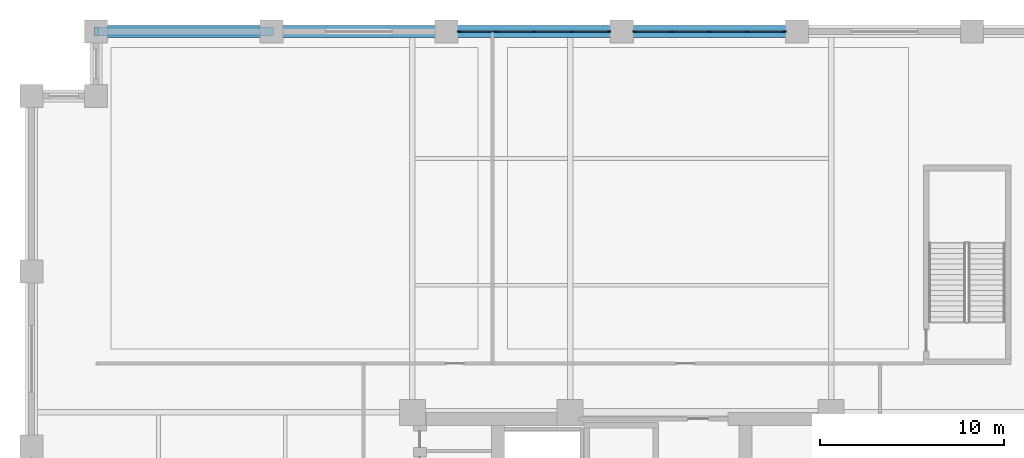
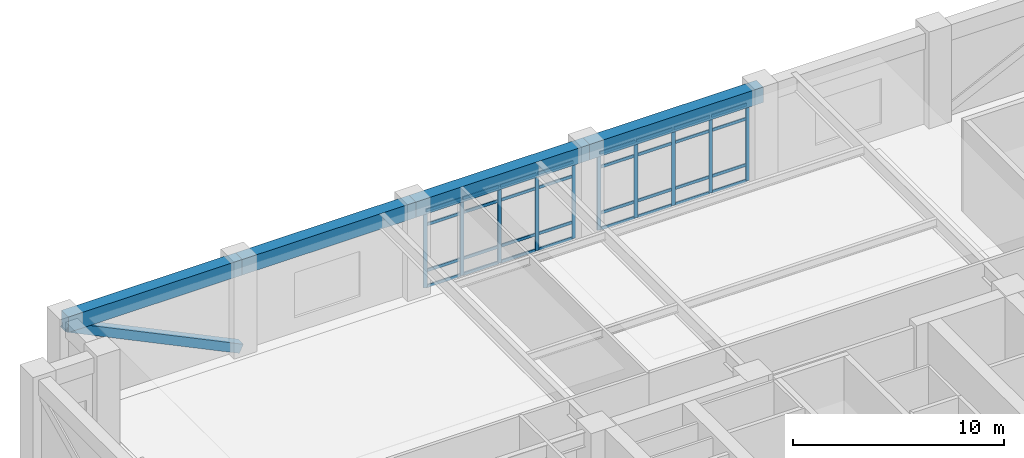
# One storey, part 9 of 21: 43 members, 4 beams, 2 elements without a shape of their own.
"""IFC4 building model written with IfcOpenShell, lengths in metres."""

from ifc_helpers import new_model, si_unit, direction, frame, origin, origin_2d, place, context, subcontext, project, spatial, rectangle, hollow_rectangle, extrude, material, layer, layer_set, material_profile, profile_set, type_object, element, aggregate, save


model = new_model("IFC4")

# Units and contexts
model_context = context("Model", 3, precision=1e-05, world=origin(), true_north=direction((0.0, 1.0)))
body_context = subcontext(model_context, "Body", "Model", "MODEL_VIEW")
ifc_project = project(units=[si_unit("LENGTHUNIT", "METRE"), si_unit("AREAUNIT", "SQUARE_METRE"), si_unit("VOLUMEUNIT", "CUBIC_METRE"), si_unit("PLANEANGLEUNIT", "RADIAN"), si_unit("MASSUNIT", "GRAM", prefix="KILO")], contexts=[model_context])

# Site, building, storey
site_placement = place(None, origin())
site = spatial("IfcSite", under=ifc_project, at=site_placement, CompositionType="ELEMENT")
building_placement = place(site_placement, origin())
building = spatial("IfcBuilding", under=site, at=building_placement, Name="Nhamokura Convention Tower", CompositionType="ELEMENT")
storey_placement = place(building_placement, frame((0.0, 0.0, 12.25)))
storey = spatial("IfcBuildingStorey", under=building, at=storey_placement, Name="L02", CompositionType="ELEMENT", Elevation=12.25)

# Curtain wall, members
ifc_material_1 = material(Name="Anodised bronze aluminium AA6063-T6", Category="aluminium")
ifc_layer = layer(ifc_material_1, 0.199951171875)
ifc_layer_set = layer_set([ifc_layer], Name="CWSystem_ConventionFoyer")
curtain_wall_type = type_object("IfcCurtainWallType", Name="CWSystem_ConventionFoyer", PredefinedType="NOTDEFINED", material=ifc_layer_set)
curtain_wall_1_placement = place(storey_placement, origin())
curtain_wall_1 = element("IfcCurtainWall", 1, at=curtain_wall_1_placement, inside=storey, type_object=curtain_wall_type, Name="L02 Curtain Wall ENV-L02-CW-N2", PredefinedType="NOTDEFINED")
ifc_material_2 = material(Name="Anodised bronze aluminium AA6063-T6", Category="aluminium")
ifc_material_profile_1 = material_profile(ifc_material_2, rectangle(XDim=0.074951171875, YDim=0.199951171875, at=origin_2d()))
ifc_profile_set_1 = profile_set([ifc_material_profile_1], Name="Anodised bronze aluminium AA6063-T6")
member_type_1 = type_object("IfcMemberType", Name="CWMullion_2", PredefinedType="MULLION", material=ifc_profile_set_1)
member_1_placement = place(storey_placement, frame((23.1875, 64.0, 0.0), z_axis=(0.0, 0.0, 1.0), x_axis=(0.0, 1.0, 0.0)))
member_1 = element("IfcMember", 2, at=member_1_placement, type_object=member_type_1, Name="CW-02 mullion 1", PredefinedType="MULLION", context=body_context, shape_type="SweptSolid", body=[
    extrude(rectangle(XDim=0.074951171875, YDim=0.199951171875, at=origin_2d()), origin(), (0.0, 0.0, 1.0), 4.4599609375),
])
member_2_placement = place(storey_placement, frame((25.199951171875, 64.0, 0.0), z_axis=(0.0, 0.0, 1.0), x_axis=(0.0, 1.0, 0.0)))
member_2 = element("IfcMember", 3, at=member_2_placement, type_object=member_type_1, Name="CW-02 mullion 2", PredefinedType="MULLION", context=body_context, shape_type="SweptSolid", body=[
    extrude(rectangle(XDim=0.074951171875, YDim=0.199951171875, at=origin_2d()), origin(), (0.0, 0.0, 1.0), 4.4599609375),
])
member_3_placement = place(storey_placement, frame((27.25, 64.0, 0.0), z_axis=(0.0, 0.0, 1.0), x_axis=(0.0, 1.0, 0.0)))
member_3 = element("IfcMember", 4, at=member_3_placement, type_object=member_type_1, Name="CW-02 mullion 3", PredefinedType="MULLION", context=body_context, shape_type="SweptSolid", body=[
    extrude(rectangle(XDim=0.074951171875, YDim=0.199951171875, at=origin_2d()), origin(), (0.0, 0.0, 1.0), 4.4599609375),
])
member_4_placement = place(storey_placement, frame((29.300048828125, 64.0, 0.0), z_axis=(0.0, 0.0, 1.0), x_axis=(0.0, 1.0, 0.0)))
member_4 = element("IfcMember", 5, at=member_4_placement, type_object=member_type_1, Name="CW-02 mullion 4", PredefinedType="MULLION", context=body_context, shape_type="SweptSolid", body=[
    extrude(rectangle(XDim=0.074951171875, YDim=0.199951171875, at=origin_2d()), origin(), (0.0, 0.0, 1.0), 4.4599609375),
])
member_5_placement = place(storey_placement, frame((31.3125, 64.0, 0.0), z_axis=(0.0, 0.0, 1.0), x_axis=(0.0, 1.0, 0.0)))
member_5 = element("IfcMember", 6, at=member_5_placement, type_object=member_type_1, Name="CW-02 mullion 5", PredefinedType="MULLION", context=body_context, shape_type="SweptSolid", body=[
    extrude(rectangle(XDim=0.074951171875, YDim=0.199951171875, at=origin_2d()), origin(), (0.0, 0.0, 1.0), 4.4599609375),
])

curtain_wall_2_placement = place(storey_placement, origin())
curtain_wall_2 = element("IfcCurtainWall", 7, at=curtain_wall_2_placement, inside=storey, type_object=curtain_wall_type, Name="L02 Curtain Wall ENV-L02-CW-N3", PredefinedType="NOTDEFINED")
member_6_placement = place(storey_placement, frame((32.6875, 64.0, 0.0), z_axis=(0.0, 0.0, 1.0), x_axis=(0.0, 1.0, 0.0)))
member_6 = element("IfcMember", 8, at=member_6_placement, type_object=member_type_1, Name="CW-02 mullion 1", PredefinedType="MULLION", context=body_context, shape_type="SweptSolid", body=[
    extrude(rectangle(XDim=0.074951171875, YDim=0.199951171875, at=origin_2d()), origin(), (0.0, 0.0, 1.0), 4.4599609375),
])
member_7_placement = place(storey_placement, frame((34.699951171875, 64.0, 0.0), z_axis=(0.0, 0.0, 1.0), x_axis=(0.0, 1.0, 0.0)))
member_7 = element("IfcMember", 9, at=member_7_placement, type_object=member_type_1, Name="CW-02 mullion 2", PredefinedType="MULLION", context=body_context, shape_type="SweptSolid", body=[
    extrude(rectangle(XDim=0.074951171875, YDim=0.199951171875, at=origin_2d()), origin(), (0.0, 0.0, 1.0), 4.4599609375),
])
member_8_placement = place(storey_placement, frame((36.75, 64.0, 0.0), z_axis=(0.0, 0.0, 1.0), x_axis=(0.0, 1.0, 0.0)))
member_8 = element("IfcMember", 10, at=member_8_placement, type_object=member_type_1, Name="CW-02 mullion 3", PredefinedType="MULLION", context=body_context, shape_type="SweptSolid", body=[
    extrude(rectangle(XDim=0.074951171875, YDim=0.199951171875, at=origin_2d()), origin(), (0.0, 0.0, 1.0), 4.4599609375),
])
member_9_placement = place(storey_placement, frame((38.800048828125, 64.0, 0.0), z_axis=(0.0, 0.0, 1.0), x_axis=(0.0, 1.0, 0.0)))
member_9 = element("IfcMember", 11, at=member_9_placement, type_object=member_type_1, Name="CW-02 mullion 4", PredefinedType="MULLION", context=body_context, shape_type="SweptSolid", body=[
    extrude(rectangle(XDim=0.074951171875, YDim=0.199951171875, at=origin_2d()), origin(), (0.0, 0.0, 1.0), 4.4599609375),
])
member_10_placement = place(storey_placement, frame((40.8125, 64.0, 0.0), z_axis=(0.0, 0.0, 1.0), x_axis=(0.0, 1.0, 0.0)))
member_10 = element("IfcMember", 12, at=member_10_placement, type_object=member_type_1, Name="CW-02 mullion 5", PredefinedType="MULLION", context=body_context, shape_type="SweptSolid", body=[
    extrude(rectangle(XDim=0.074951171875, YDim=0.199951171875, at=origin_2d()), origin(), (0.0, 0.0, 1.0), 4.4599609375),
])

# Member
ifc_material_3 = material(Name="Anodised bronze aluminium AA6063-T6", Category="aluminium")
ifc_material_profile_2 = material_profile(ifc_material_3, rectangle(XDim=0.074951171875, YDim=0.169921875, at=origin_2d()))
ifc_profile_set_2 = profile_set([ifc_material_profile_2], Name="Anodised bronze aluminium AA6063-T6")
member_type_2 = type_object("IfcMemberType", Name="CWTransom_2", PredefinedType="USERDEFINED", material=ifc_profile_set_2)
member_11_placement = place(storey_placement, frame((23.22509765625, 64.0, 0.03759765625), z_axis=(1.0, 0.0, 0.0), x_axis=(0.0, 1.0, 0.0)))
member_11 = element("IfcMember", 13, at=member_11_placement, type_object=member_type_2, Name="CW-02 transom 1.1", ObjectType="TRANSOM", PredefinedType="USERDEFINED", context=body_context, shape_type="SweptSolid", body=[
    extrude(rectangle(XDim=0.074951171875, YDim=0.169921875, at=origin_2d()), origin(), (0.0, 0.0, 1.0), 1.9375),
])

member_12_placement = place(storey_placement, frame((23.22509765625, 64.0, 0.949951171875), z_axis=(1.0, 0.0, 0.0), x_axis=(0.0, 1.0, 0.0)))
member_12 = element("IfcMember", 14, at=member_12_placement, type_object=member_type_2, Name="CW-02 transom 1.2", ObjectType="TRANSOM", PredefinedType="USERDEFINED", context=body_context, shape_type="SweptSolid", body=[
    extrude(rectangle(XDim=0.074951171875, YDim=0.169921875, at=origin_2d()), origin(), (0.0, 0.0, 1.0), 1.9375),
])

member_13_placement = place(storey_placement, frame((23.22509765625, 64.0, 3.610107421875), z_axis=(1.0, 0.0, 0.0), x_axis=(0.0, 1.0, 0.0)))
member_13 = element("IfcMember", 15, at=member_13_placement, type_object=member_type_2, Name="CW-02 transom 1.3", ObjectType="TRANSOM", PredefinedType="USERDEFINED", context=body_context, shape_type="SweptSolid", body=[
    extrude(rectangle(XDim=0.074951171875, YDim=0.169921875, at=origin_2d()), origin(), (0.0, 0.0, 1.0), 1.9375),
])

member_14_placement = place(storey_placement, frame((23.22509765625, 64.0, 4.422607421875), z_axis=(1.0, 0.0, 0.0), x_axis=(0.0, 1.0, 0.0)))
member_14 = element("IfcMember", 16, at=member_14_placement, type_object=member_type_2, Name="CW-02 transom 1.4", ObjectType="TRANSOM", PredefinedType="USERDEFINED", context=body_context, shape_type="SweptSolid", body=[
    extrude(rectangle(XDim=0.074951171875, YDim=0.169921875, at=origin_2d()), origin(), (0.0, 0.0, 1.0), 1.9375),
])

member_15_placement = place(storey_placement, frame((25.237548828125, 64.0, 0.03759765625), z_axis=(1.0, 0.0, 0.0), x_axis=(0.0, 1.0, 0.0)))
member_15 = element("IfcMember", 17, at=member_15_placement, type_object=member_type_2, Name="CW-02 transom 2.1", ObjectType="TRANSOM", PredefinedType="USERDEFINED", context=body_context, shape_type="SweptSolid", body=[
    extrude(rectangle(XDim=0.074951171875, YDim=0.169921875, at=origin_2d()), origin(), (0.0, 0.0, 1.0), 1.974853515625),
])

member_16_placement = place(storey_placement, frame((25.237548828125, 64.0, 0.949951171875), z_axis=(1.0, 0.0, 0.0), x_axis=(0.0, 1.0, 0.0)))
member_16 = element("IfcMember", 18, at=member_16_placement, type_object=member_type_2, Name="CW-02 transom 2.2", ObjectType="TRANSOM", PredefinedType="USERDEFINED", context=body_context, shape_type="SweptSolid", body=[
    extrude(rectangle(XDim=0.074951171875, YDim=0.169921875, at=origin_2d()), origin(), (0.0, 0.0, 1.0), 1.974853515625),
])

member_17_placement = place(storey_placement, frame((25.237548828125, 64.0, 3.610107421875), z_axis=(1.0, 0.0, 0.0), x_axis=(0.0, 1.0, 0.0)))
member_17 = element("IfcMember", 19, at=member_17_placement, type_object=member_type_2, Name="CW-02 transom 2.3", ObjectType="TRANSOM", PredefinedType="USERDEFINED", context=body_context, shape_type="SweptSolid", body=[
    extrude(rectangle(XDim=0.074951171875, YDim=0.169921875, at=origin_2d()), origin(), (0.0, 0.0, 1.0), 1.974853515625),
])

member_18_placement = place(storey_placement, frame((25.237548828125, 64.0, 4.422607421875), z_axis=(1.0, 0.0, 0.0), x_axis=(0.0, 1.0, 0.0)))
member_18 = element("IfcMember", 20, at=member_18_placement, type_object=member_type_2, Name="CW-02 transom 2.4", ObjectType="TRANSOM", PredefinedType="USERDEFINED", context=body_context, shape_type="SweptSolid", body=[
    extrude(rectangle(XDim=0.074951171875, YDim=0.169921875, at=origin_2d()), origin(), (0.0, 0.0, 1.0), 1.974853515625),
])

member_19_placement = place(storey_placement, frame((27.28759765625, 64.0, 0.03759765625), z_axis=(1.0, 0.0, 0.0), x_axis=(0.0, 1.0, 0.0)))
member_19 = element("IfcMember", 21, at=member_19_placement, type_object=member_type_2, Name="CW-02 transom 3.1", ObjectType="TRANSOM", PredefinedType="USERDEFINED", context=body_context, shape_type="SweptSolid", body=[
    extrude(rectangle(XDim=0.074951171875, YDim=0.169921875, at=origin_2d()), origin(), (0.0, 0.0, 1.0), 1.974853515625),
])

member_20_placement = place(storey_placement, frame((27.28759765625, 64.0, 0.949951171875), z_axis=(1.0, 0.0, 0.0), x_axis=(0.0, 1.0, 0.0)))
member_20 = element("IfcMember", 22, at=member_20_placement, type_object=member_type_2, Name="CW-02 transom 3.2", ObjectType="TRANSOM", PredefinedType="USERDEFINED", context=body_context, shape_type="SweptSolid", body=[
    extrude(rectangle(XDim=0.074951171875, YDim=0.169921875, at=origin_2d()), origin(), (0.0, 0.0, 1.0), 1.974853515625),
])

member_21_placement = place(storey_placement, frame((27.28759765625, 64.0, 3.610107421875), z_axis=(1.0, 0.0, 0.0), x_axis=(0.0, 1.0, 0.0)))
member_21 = element("IfcMember", 23, at=member_21_placement, type_object=member_type_2, Name="CW-02 transom 3.3", ObjectType="TRANSOM", PredefinedType="USERDEFINED", context=body_context, shape_type="SweptSolid", body=[
    extrude(rectangle(XDim=0.074951171875, YDim=0.169921875, at=origin_2d()), origin(), (0.0, 0.0, 1.0), 1.974853515625),
])

member_22_placement = place(storey_placement, frame((27.28759765625, 64.0, 4.422607421875), z_axis=(1.0, 0.0, 0.0), x_axis=(0.0, 1.0, 0.0)))
member_22 = element("IfcMember", 24, at=member_22_placement, type_object=member_type_2, Name="CW-02 transom 3.4", ObjectType="TRANSOM", PredefinedType="USERDEFINED", context=body_context, shape_type="SweptSolid", body=[
    extrude(rectangle(XDim=0.074951171875, YDim=0.169921875, at=origin_2d()), origin(), (0.0, 0.0, 1.0), 1.974853515625),
])

member_23_placement = place(storey_placement, frame((29.33740234375, 64.0, 0.03759765625), z_axis=(1.0, 0.0, 0.0), x_axis=(0.0, 1.0, 0.0)))
member_23 = element("IfcMember", 25, at=member_23_placement, type_object=member_type_2, Name="CW-02 transom 4.1", ObjectType="TRANSOM", PredefinedType="USERDEFINED", context=body_context, shape_type="SweptSolid", body=[
    extrude(rectangle(XDim=0.074951171875, YDim=0.169921875, at=origin_2d()), origin(), (0.0, 0.0, 1.0), 1.9375),
])

member_24_placement = place(storey_placement, frame((29.33740234375, 64.0, 0.949951171875), z_axis=(1.0, 0.0, 0.0), x_axis=(0.0, 1.0, 0.0)))
member_24 = element("IfcMember", 26, at=member_24_placement, type_object=member_type_2, Name="CW-02 transom 4.2", ObjectType="TRANSOM", PredefinedType="USERDEFINED", context=body_context, shape_type="SweptSolid", body=[
    extrude(rectangle(XDim=0.074951171875, YDim=0.169921875, at=origin_2d()), origin(), (0.0, 0.0, 1.0), 1.9375),
])

member_25_placement = place(storey_placement, frame((29.33740234375, 64.0, 3.610107421875), z_axis=(1.0, 0.0, 0.0), x_axis=(0.0, 1.0, 0.0)))
member_25 = element("IfcMember", 27, at=member_25_placement, type_object=member_type_2, Name="CW-02 transom 4.3", ObjectType="TRANSOM", PredefinedType="USERDEFINED", context=body_context, shape_type="SweptSolid", body=[
    extrude(rectangle(XDim=0.074951171875, YDim=0.169921875, at=origin_2d()), origin(), (0.0, 0.0, 1.0), 1.9375),
])

member_26_placement = place(storey_placement, frame((29.33740234375, 64.0, 4.422607421875), z_axis=(1.0, 0.0, 0.0), x_axis=(0.0, 1.0, 0.0)))
member_26 = element("IfcMember", 28, at=member_26_placement, type_object=member_type_2, Name="CW-02 transom 4.4", ObjectType="TRANSOM", PredefinedType="USERDEFINED", context=body_context, shape_type="SweptSolid", body=[
    extrude(rectangle(XDim=0.074951171875, YDim=0.169921875, at=origin_2d()), origin(), (0.0, 0.0, 1.0), 1.9375),
])

aggregate(curtain_wall_1, [member_1, member_2, member_3, member_4, member_5, member_11, member_12, member_13, member_14, member_15, member_16, member_17, member_18, member_19, member_20, member_21, member_22, member_23, member_24, member_25, member_26])

member_27_placement = place(storey_placement, frame((32.72509765625, 64.0, 0.03759765625), z_axis=(1.0, 0.0, 0.0), x_axis=(0.0, 1.0, 0.0)))
member_27 = element("IfcMember", 29, at=member_27_placement, type_object=member_type_2, Name="CW-02 transom 1.1", ObjectType="TRANSOM", PredefinedType="USERDEFINED", context=body_context, shape_type="SweptSolid", body=[
    extrude(rectangle(XDim=0.074951171875, YDim=0.169921875, at=origin_2d()), origin(), (0.0, 0.0, 1.0), 1.9375),
])

member_28_placement = place(storey_placement, frame((32.72509765625, 64.0, 0.949951171875), z_axis=(1.0, 0.0, 0.0), x_axis=(0.0, 1.0, 0.0)))
member_28 = element("IfcMember", 30, at=member_28_placement, type_object=member_type_2, Name="CW-02 transom 1.2", ObjectType="TRANSOM", PredefinedType="USERDEFINED", context=body_context, shape_type="SweptSolid", body=[
    extrude(rectangle(XDim=0.074951171875, YDim=0.169921875, at=origin_2d()), origin(), (0.0, 0.0, 1.0), 1.9375),
])

member_29_placement = place(storey_placement, frame((32.72509765625, 64.0, 3.610107421875), z_axis=(1.0, 0.0, 0.0), x_axis=(0.0, 1.0, 0.0)))
member_29 = element("IfcMember", 31, at=member_29_placement, type_object=member_type_2, Name="CW-02 transom 1.3", ObjectType="TRANSOM", PredefinedType="USERDEFINED", context=body_context, shape_type="SweptSolid", body=[
    extrude(rectangle(XDim=0.074951171875, YDim=0.169921875, at=origin_2d()), origin(), (0.0, 0.0, 1.0), 1.9375),
])

member_30_placement = place(storey_placement, frame((32.72509765625, 64.0, 4.422607421875), z_axis=(1.0, 0.0, 0.0), x_axis=(0.0, 1.0, 0.0)))
member_30 = element("IfcMember", 32, at=member_30_placement, type_object=member_type_2, Name="CW-02 transom 1.4", ObjectType="TRANSOM", PredefinedType="USERDEFINED", context=body_context, shape_type="SweptSolid", body=[
    extrude(rectangle(XDim=0.074951171875, YDim=0.169921875, at=origin_2d()), origin(), (0.0, 0.0, 1.0), 1.9375),
])

member_31_placement = place(storey_placement, frame((34.737548828125, 64.0, 0.03759765625), z_axis=(1.0, 0.0, 0.0), x_axis=(0.0, 1.0, 0.0)))
member_31 = element("IfcMember", 33, at=member_31_placement, type_object=member_type_2, Name="CW-02 transom 2.1", ObjectType="TRANSOM", PredefinedType="USERDEFINED", context=body_context, shape_type="SweptSolid", body=[
    extrude(rectangle(XDim=0.074951171875, YDim=0.169921875, at=origin_2d()), origin(), (0.0, 0.0, 1.0), 1.974853515625),
])

member_32_placement = place(storey_placement, frame((34.737548828125, 64.0, 0.949951171875), z_axis=(1.0, 0.0, 0.0), x_axis=(0.0, 1.0, 0.0)))
member_32 = element("IfcMember", 34, at=member_32_placement, type_object=member_type_2, Name="CW-02 transom 2.2", ObjectType="TRANSOM", PredefinedType="USERDEFINED", context=body_context, shape_type="SweptSolid", body=[
    extrude(rectangle(XDim=0.074951171875, YDim=0.169921875, at=origin_2d()), origin(), (0.0, 0.0, 1.0), 1.974853515625),
])

member_33_placement = place(storey_placement, frame((34.737548828125, 64.0, 3.610107421875), z_axis=(1.0, 0.0, 0.0), x_axis=(0.0, 1.0, 0.0)))
member_33 = element("IfcMember", 35, at=member_33_placement, type_object=member_type_2, Name="CW-02 transom 2.3", ObjectType="TRANSOM", PredefinedType="USERDEFINED", context=body_context, shape_type="SweptSolid", body=[
    extrude(rectangle(XDim=0.074951171875, YDim=0.169921875, at=origin_2d()), origin(), (0.0, 0.0, 1.0), 1.974853515625),
])

member_34_placement = place(storey_placement, frame((34.737548828125, 64.0, 4.422607421875), z_axis=(1.0, 0.0, 0.0), x_axis=(0.0, 1.0, 0.0)))
member_34 = element("IfcMember", 36, at=member_34_placement, type_object=member_type_2, Name="CW-02 transom 2.4", ObjectType="TRANSOM", PredefinedType="USERDEFINED", context=body_context, shape_type="SweptSolid", body=[
    extrude(rectangle(XDim=0.074951171875, YDim=0.169921875, at=origin_2d()), origin(), (0.0, 0.0, 1.0), 1.974853515625),
])

member_35_placement = place(storey_placement, frame((36.78759765625, 64.0, 0.03759765625), z_axis=(1.0, 0.0, 0.0), x_axis=(0.0, 1.0, 0.0)))
member_35 = element("IfcMember", 37, at=member_35_placement, type_object=member_type_2, Name="CW-02 transom 3.1", ObjectType="TRANSOM", PredefinedType="USERDEFINED", context=body_context, shape_type="SweptSolid", body=[
    extrude(rectangle(XDim=0.074951171875, YDim=0.169921875, at=origin_2d()), origin(), (0.0, 0.0, 1.0), 1.974853515625),
])

member_36_placement = place(storey_placement, frame((36.78759765625, 64.0, 0.949951171875), z_axis=(1.0, 0.0, 0.0), x_axis=(0.0, 1.0, 0.0)))
member_36 = element("IfcMember", 38, at=member_36_placement, type_object=member_type_2, Name="CW-02 transom 3.2", ObjectType="TRANSOM", PredefinedType="USERDEFINED", context=body_context, shape_type="SweptSolid", body=[
    extrude(rectangle(XDim=0.074951171875, YDim=0.169921875, at=origin_2d()), origin(), (0.0, 0.0, 1.0), 1.974853515625),
])

member_37_placement = place(storey_placement, frame((36.78759765625, 64.0, 3.610107421875), z_axis=(1.0, 0.0, 0.0), x_axis=(0.0, 1.0, 0.0)))
member_37 = element("IfcMember", 39, at=member_37_placement, type_object=member_type_2, Name="CW-02 transom 3.3", ObjectType="TRANSOM", PredefinedType="USERDEFINED", context=body_context, shape_type="SweptSolid", body=[
    extrude(rectangle(XDim=0.074951171875, YDim=0.169921875, at=origin_2d()), origin(), (0.0, 0.0, 1.0), 1.974853515625),
])

member_38_placement = place(storey_placement, frame((36.78759765625, 64.0, 4.422607421875), z_axis=(1.0, 0.0, 0.0), x_axis=(0.0, 1.0, 0.0)))
member_38 = element("IfcMember", 40, at=member_38_placement, type_object=member_type_2, Name="CW-02 transom 3.4", ObjectType="TRANSOM", PredefinedType="USERDEFINED", context=body_context, shape_type="SweptSolid", body=[
    extrude(rectangle(XDim=0.074951171875, YDim=0.169921875, at=origin_2d()), origin(), (0.0, 0.0, 1.0), 1.974853515625),
])

member_39_placement = place(storey_placement, frame((38.83740234375, 64.0, 0.03759765625), z_axis=(1.0, 0.0, 0.0), x_axis=(0.0, 1.0, 0.0)))
member_39 = element("IfcMember", 41, at=member_39_placement, type_object=member_type_2, Name="CW-02 transom 4.1", ObjectType="TRANSOM", PredefinedType="USERDEFINED", context=body_context, shape_type="SweptSolid", body=[
    extrude(rectangle(XDim=0.074951171875, YDim=0.169921875, at=origin_2d()), origin(), (0.0, 0.0, 1.0), 1.9375),
])

member_40_placement = place(storey_placement, frame((38.83740234375, 64.0, 0.949951171875), z_axis=(1.0, 0.0, 0.0), x_axis=(0.0, 1.0, 0.0)))
member_40 = element("IfcMember", 42, at=member_40_placement, type_object=member_type_2, Name="CW-02 transom 4.2", ObjectType="TRANSOM", PredefinedType="USERDEFINED", context=body_context, shape_type="SweptSolid", body=[
    extrude(rectangle(XDim=0.074951171875, YDim=0.169921875, at=origin_2d()), origin(), (0.0, 0.0, 1.0), 1.9375),
])

member_41_placement = place(storey_placement, frame((38.83740234375, 64.0, 3.610107421875), z_axis=(1.0, 0.0, 0.0), x_axis=(0.0, 1.0, 0.0)))
member_41 = element("IfcMember", 43, at=member_41_placement, type_object=member_type_2, Name="CW-02 transom 4.3", ObjectType="TRANSOM", PredefinedType="USERDEFINED", context=body_context, shape_type="SweptSolid", body=[
    extrude(rectangle(XDim=0.074951171875, YDim=0.169921875, at=origin_2d()), origin(), (0.0, 0.0, 1.0), 1.9375),
])

member_42_placement = place(storey_placement, frame((38.83740234375, 64.0, 4.422607421875), z_axis=(1.0, 0.0, 0.0), x_axis=(0.0, 1.0, 0.0)))
member_42 = element("IfcMember", 44, at=member_42_placement, type_object=member_type_2, Name="CW-02 transom 4.4", ObjectType="TRANSOM", PredefinedType="USERDEFINED", context=body_context, shape_type="SweptSolid", body=[
    extrude(rectangle(XDim=0.074951171875, YDim=0.169921875, at=origin_2d()), origin(), (0.0, 0.0, 1.0), 1.9375),
])

aggregate(curtain_wall_2, [member_6, member_7, member_8, member_9, member_10, member_27, member_28, member_29, member_30, member_31, member_32, member_33, member_34, member_35, member_36, member_37, member_38, member_39, member_40, member_41, member_42])

ifc_material_4 = material(Name="Steel ASTM A572 Gr 50", Category="steel")
ifc_material_profile_3 = material_profile(ifc_material_4, hollow_rectangle(XDim=0.5, YDim=0.5, WallThickness=0.02490234375, at=origin_2d()))
ifc_profile_set_3 = profile_set([ifc_material_profile_3], Name="Steel ASTM A572 Gr 50")
member_type_3 = type_object("IfcMemberType", Name="TubeBrace_HSS500", PredefinedType="BRACE", material=ifc_profile_set_3)
member_43_placement = place(storey_placement, frame((13.0, 64.0, 0.14990234375), z_axis=(-0.901520888263, 0.0, 0.432735586734), x_axis=(0.0, -1.0, 0.0)))
element("IfcMember", 45, at=member_43_placement, inside=storey, type_object=member_type_3, Name="L02 Perimeter Tube Brace NORTH Bay 0", PredefinedType="BRACE", context=body_context, shape_type="SweptSolid", body=[
    extrude(hollow_rectangle(XDim=0.5, YDim=0.5, WallThickness=0.02490234375, at=origin_2d()), origin(), (0.0, 0.0, 1.0), 10.537841796875),
])

# Beams
ifc_material_5 = material(Name="Concrete C60/75", Category="concrete")
ifc_material_profile_4 = material_profile(ifc_material_5, rectangle(XDim=0.64990234375, YDim=0.89990234375, at=origin_2d()))
ifc_profile_set_4 = profile_set([ifc_material_profile_4], Name="Concrete C60/75")
beam_type = type_object("IfcBeamType", Name="TubeSpandrel_900", PredefinedType="SPANDREL", material=ifc_profile_set_4)
for number, where, z_axis, x_axis, name in (
    (46, (3.5, 64.0, 4.909912109375), (1.0, 0.0, 0.0), (0.0, 1.0, 0.0), "L02 Perimeter Spandrel NORTH 1"),
    (47, (13.0, 64.0, 4.909912109375), (1.0, 0.0, 0.0), (0.0, 1.0, 0.0), "L02 Perimeter Spandrel NORTH 2"),
    (48, (22.5, 64.0, 4.909912109375), (1.0, 0.0, 0.0), (0.0, 1.0, 0.0), "L02 Perimeter Spandrel NORTH 3"),
    (49, (32.0, 64.0, 4.909912109375), (1.0, 0.0, 0.0), (0.0, 1.0, 0.0), "L02 Perimeter Spandrel NORTH 4"),
):
    element("IfcBeam", number, at=place(storey_placement, frame(where, z_axis=z_axis, x_axis=x_axis)), inside=storey, type_object=beam_type, Name=name, PredefinedType="SPANDREL", context=body_context, shape_type="SweptSolid", body=[
        extrude(rectangle(XDim=0.64990234375, YDim=0.89990234375, at=origin_2d()), origin(), (0.0, 0.0, 1.0), 9.5),
    ])

save(model, "model.ifc")
